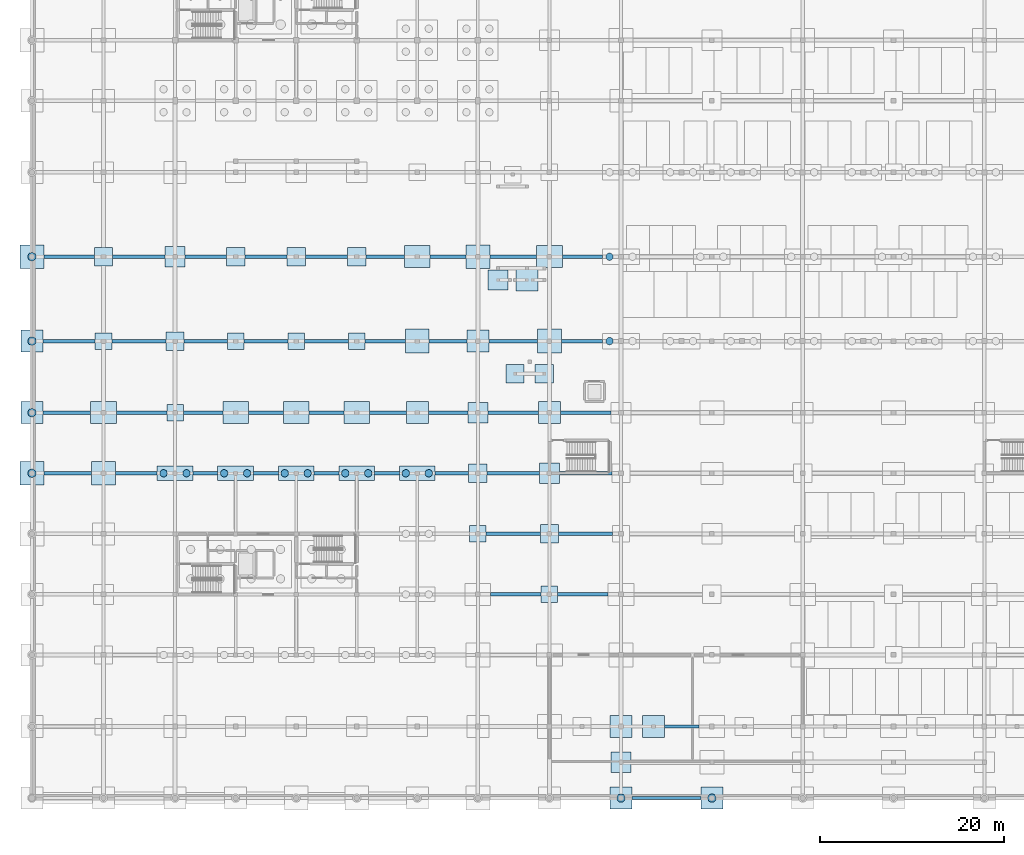
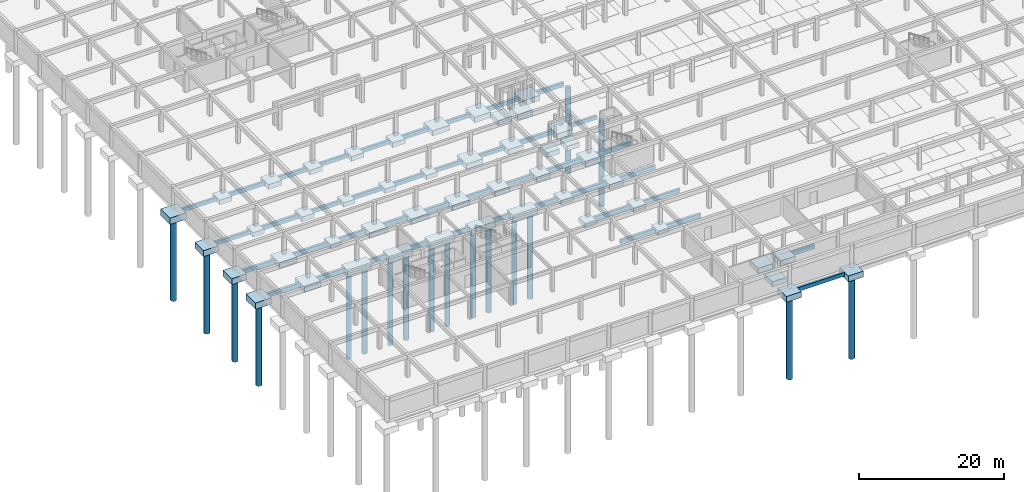
# One storey, part 2 of 37: 90 footings, 18 piles.
"""IFC4 building model written with IfcOpenShell, lengths in metres."""

from ifc_helpers import new_model, si_unit, direction, frame, origin, origin_2d, place, context, subcontext, project, spatial, rectangle, circle, extrude, material, material_profile, profile_set, type_object, element, save


model = new_model("IFC4")

# Units and contexts
model_context = context("Model", 3, precision=1e-05, world=origin(), true_north=direction((0.0, 1.0)))
body_context = subcontext(model_context, "Body", "Model", "MODEL_VIEW")
ifc_project = project(units=[si_unit("LENGTHUNIT", "METRE"), si_unit("AREAUNIT", "SQUARE_METRE"), si_unit("VOLUMEUNIT", "CUBIC_METRE"), si_unit("PLANEANGLEUNIT", "RADIAN"), si_unit("MASSUNIT", "GRAM", prefix="KILO")], contexts=[model_context])

# Site, building, storey
site_placement = place(None, origin())
site = spatial("IfcSite", under=ifc_project, at=site_placement, CompositionType="ELEMENT")
building_placement = place(site_placement, origin())
building = spatial("IfcBuilding", under=site, at=building_placement, Name="Kernevlak Ridge Housing Community", CompositionType="ELEMENT")
storey_placement = place(building_placement, frame((0.0, 0.0, -3.800048828125)))
storey = spatial("IfcBuildingStorey", under=building, at=storey_placement, Name="B1", CompositionType="ELEMENT", Elevation=-3.800048828125)

# Piles
ifc_material = material(Name="Concrete C35/45", Category="concrete")
ifc_material_profile_1 = material_profile(ifc_material, circle(Radius=0.39990234375, at=origin_2d()), Name="BORED PILE 800")
ifc_profile_set_1 = profile_set([ifc_material_profile_1], Name="Concrete C35/45")
pile_type_1 = type_object("IfcPileType", Name="BP-01", PredefinedType="BORED", material=ifc_profile_set_1)
for number, where, z_axis, x_axis, name in (
    (1, (14.35009765625, 35.39990234375, -1.449951171875), (0.0, 0.0, -1.0), (1.0, 0.0, 0.0), "Bored pile BP-01 PILE-0071"),
    (2, (16.85009765625, 35.39990234375, -1.449951171875), (0.0, 0.0, -1.0), (1.0, 0.0, 0.0), "Bored pile BP-01 PILE-0072"),
    (3, (20.949951171875, 35.39990234375, -1.449951171875), (0.0, 0.0, -1.0), (1.0, 0.0, 0.0), "Bored pile BP-01 PILE-0085"),
    (4, (23.449951171875, 35.39990234375, -1.449951171875), (0.0, 0.0, -1.0), (1.0, 0.0, 0.0), "Bored pile BP-01 PILE-0086"),
    (5, (27.550048828125, 35.39990234375, -1.449951171875), (0.0, 0.0, -1.0), (1.0, 0.0, 0.0), "Bored pile BP-01 PILE-0099"),
    (6, (30.050048828125, 35.39990234375, -1.449951171875), (0.0, 0.0, -1.0), (1.0, 0.0, 0.0), "Bored pile BP-01 PILE-0100"),
    (7, (34.14990234375, 35.39990234375, -1.449951171875), (0.0, 0.0, -1.0), (1.0, 0.0, 0.0), "Bored pile BP-01 PILE-0113"),
    (8, (36.64990234375, 35.39990234375, -1.449951171875), (0.0, 0.0, -1.0), (1.0, 0.0, 0.0), "Bored pile BP-01 PILE-0114"),
    (9, (40.75, 35.39990234375, -1.449951171875), (0.0, 0.0, -1.0), (1.0, 0.0, 0.0), "Bored pile BP-01 PILE-0131"),
    (10, (43.25, 35.39990234375, -1.449951171875), (0.0, 0.0, -1.0), (1.0, 0.0, 0.0), "Bored pile BP-01 PILE-0132"),
    (11, (62.949951171875, 49.800048828125, -1.5), (0.0, 0.0, -1.0), (1.0, 0.0, 0.0), "Bored pile BP-01 PILE-0171"),
    (12, (62.949951171875, 59.0, -1.5), (0.0, 0.0, -1.0), (1.0, 0.0, 0.0), "Bored pile BP-01 PILE-0173"),
):
    element("IfcPile", number, at=place(storey_placement, frame(where, z_axis=z_axis, x_axis=x_axis)), inside=storey, type_object=pile_type_1, Name=name, PredefinedType="BORED", context=body_context, shape_type="SweptSolid", body=[
        extrude(circle(Radius=0.39990234375, at=origin_2d()), origin(), (0.0, 0.0, 1.0), 14.5),
    ])
ifc_material_profile_2 = material_profile(ifc_material, circle(Radius=0.449951171875, at=origin_2d()), Name="BORED PILE 900")
ifc_profile_set_2 = profile_set([ifc_material_profile_2], Name="Concrete C35/45")
pile_type_2 = type_object("IfcPileType", Name="BP-02", PredefinedType="BORED", material=ifc_profile_set_2)
for number, where, z_axis, x_axis, name in (
    (13, (0.0, 35.39990234375, -1.39990234375), (0.0, 0.0, -1.0), (1.0, 0.0, 0.0), "Bored pile BP-02 PILE-0054"),
    (14, (0.0, 42.0, -1.349853515625), (0.0, 0.0, -1.0), (1.0, 0.0, 0.0), "Bored pile BP-02 PILE-0055"),
    (15, (0.0, 49.800048828125, -1.349853515625), (0.0, 0.0, -1.0), (1.0, 0.0, 0.0), "Bored pile BP-02 PILE-0056"),
    (16, (0.0, 59.0, -1.39990234375), (0.0, 0.0, -1.0), (1.0, 0.0, 0.0), "Bored pile BP-02 PILE-0057"),
    (17, (64.199951171875, 0.0, -1.349853515625), (0.0, 0.0, -1.0), (1.0, 0.0, 0.0), "Bored pile BP-02 PILE-0170"),
    (18, (74.10009765625, 0.0, -1.349853515625), (0.0, 0.0, -1.0), (1.0, 0.0, 0.0), "Bored pile BP-02 PILE-0182"),
):
    element("IfcPile", number, at=place(storey_placement, frame(where, z_axis=z_axis, x_axis=x_axis)), inside=storey, type_object=pile_type_2, Name=name, PredefinedType="BORED", context=body_context, shape_type="SweptSolid", body=[
        extrude(circle(Radius=0.449951171875, at=origin_2d()), origin(), (0.0, 0.0, 1.0), 14.0),
    ])

# Footings
ifc_material_profile_3 = material_profile(ifc_material, rectangle(XDim=0.39990234375, YDim=0.699951171875, at=origin_2d()), Name="RC 400x700")
ifc_profile_set_3 = profile_set([ifc_material_profile_3], Name="Concrete C35/45")
footing_type_1 = type_object("IfcFootingType", Name="FB-01", PredefinedType="FOOTING_BEAM", material=ifc_profile_set_3)
footing_1_placement = place(storey_placement, frame((57.300048828125, 22.199951171875, -0.800048828125), z_axis=(1.0, 0.0, 0.0), x_axis=(0.0, 1.0, 0.0)))
element("IfcFooting", 19, at=footing_1_placement, inside=storey, type_object=footing_type_1, Name="Ground tie beam FB-01 63", PredefinedType="FOOTING_BEAM", context=body_context, shape_type="SweptSolid", body=[
    extrude(rectangle(XDim=0.39990234375, YDim=0.699951171875, at=origin_2d()), origin(), (0.0, 0.0, 1.0), 5.5),
])
footing_2_placement = place(storey_placement, frame((49.5, 28.800048828125, -0.800048828125), z_axis=(1.0, 0.0, 0.0), x_axis=(0.0, 1.0, 0.0)))
element("IfcFooting", 20, at=footing_2_placement, inside=storey, type_object=footing_type_1, Name="Ground tie beam FB-01 75", PredefinedType="FOOTING_BEAM", context=body_context, shape_type="SweptSolid", body=[
    extrude(rectangle(XDim=0.39990234375, YDim=0.699951171875, at=origin_2d()), origin(), (0.0, 0.0, 1.0), 5.89990234375),
])
footing_3_placement = place(storey_placement, frame((9.10009765625, 35.39990234375, -0.800048828125), z_axis=(1.0, 0.0, 0.0), x_axis=(0.0, 1.0, 0.0)))
element("IfcFooting", 21, at=footing_3_placement, inside=storey, type_object=footing_type_1, Name="Ground tie beam FB-01 87", PredefinedType="FOOTING_BEAM", context=body_context, shape_type="SweptSolid", body=[
    extrude(rectangle(XDim=0.39990234375, YDim=0.699951171875, at=origin_2d()), origin(), (0.0, 0.0, 1.0), 4.5498046875),
])
footing_4_placement = place(storey_placement, frame((30.75, 35.39990234375, -0.800048828125), z_axis=(1.0, 0.0, 0.0), x_axis=(0.0, 1.0, 0.0)))
element("IfcFooting", 22, at=footing_4_placement, inside=storey, type_object=footing_type_1, Name="Ground tie beam FB-01 90", PredefinedType="FOOTING_BEAM", context=body_context, shape_type="SweptSolid", body=[
    extrude(rectangle(XDim=0.39990234375, YDim=0.699951171875, at=origin_2d()), origin(), (0.0, 0.0, 1.0), 2.699951171875),
])
footing_5_placement = place(storey_placement, frame((49.60009765625, 35.39990234375, -0.800048828125), z_axis=(1.0, 0.0, 0.0), x_axis=(0.0, 1.0, 0.0)))
element("IfcFooting", 23, at=footing_5_placement, inside=storey, type_object=footing_type_1, Name="Ground tie beam FB-01 93", PredefinedType="FOOTING_BEAM", context=body_context, shape_type="SweptSolid", body=[
    extrude(rectangle(XDim=0.39990234375, YDim=0.699951171875, at=origin_2d()), origin(), (0.0, 0.0, 1.0), 5.699951171875),
])
footing_6_placement = place(storey_placement, frame((9.199951171875, 42.0, -0.800048828125), z_axis=(1.0, 0.0, 0.0), x_axis=(0.0, 1.0, 0.0)))
element("IfcFooting", 24, at=footing_6_placement, inside=storey, type_object=footing_type_1, Name="Ground tie beam FB-01 105", PredefinedType="FOOTING_BEAM", context=body_context, shape_type="SweptSolid", body=[
    extrude(rectangle(XDim=0.39990234375, YDim=0.699951171875, at=origin_2d()), origin(), (0.0, 0.0, 1.0), 5.5),
])
footing_7_placement = place(storey_placement, frame((30.199951171875, 42.0, -0.800048828125), z_axis=(1.0, 0.0, 0.0), x_axis=(0.0, 1.0, 0.0)))
element("IfcFooting", 25, at=footing_7_placement, inside=storey, type_object=footing_type_1, Name="Ground tie beam FB-01 108", PredefinedType="FOOTING_BEAM", context=body_context, shape_type="SweptSolid", body=[
    extrude(rectangle(XDim=0.39990234375, YDim=0.699951171875, at=origin_2d()), origin(), (0.0, 0.0, 1.0), 3.800048828125),
])
footing_8_placement = place(storey_placement, frame((49.699951171875, 42.0, -0.800048828125), z_axis=(1.0, 0.0, 0.0), x_axis=(0.0, 1.0, 0.0)))
element("IfcFooting", 26, at=footing_8_placement, inside=storey, type_object=footing_type_1, Name="Ground tie beam FB-01 111", PredefinedType="FOOTING_BEAM", context=body_context, shape_type="SweptSolid", body=[
    extrude(rectangle(XDim=0.39990234375, YDim=0.699951171875, at=origin_2d()), origin(), (0.0, 0.0, 1.0), 5.5),
])
footing_9_placement = place(storey_placement, frame((8.699951171875, 49.800048828125, -0.800048828125), z_axis=(1.0, 0.0, 0.0), x_axis=(0.0, 1.0, 0.0)))
element("IfcFooting", 27, at=footing_9_placement, inside=storey, type_object=footing_type_1, Name="Ground tie beam FB-01 126", PredefinedType="FOOTING_BEAM", context=body_context, shape_type="SweptSolid", body=[
    extrude(rectangle(XDim=0.39990234375, YDim=0.699951171875, at=origin_2d()), origin(), (0.0, 0.0, 1.0), 5.900146484375),
])
footing_10_placement = place(storey_placement, frame((29.699951171875, 49.800048828125, -0.800048828125), z_axis=(1.0, 0.0, 0.0), x_axis=(0.0, 1.0, 0.0)))
element("IfcFooting", 28, at=footing_10_placement, inside=storey, type_object=footing_type_1, Name="Ground tie beam FB-01 129", PredefinedType="FOOTING_BEAM", context=body_context, shape_type="SweptSolid", body=[
    extrude(rectangle(XDim=0.39990234375, YDim=0.699951171875, at=origin_2d()), origin(), (0.0, 0.0, 1.0), 4.800048828125),
])
footing_11_placement = place(storey_placement, frame((49.800048828125, 49.800048828125, -0.800048828125), z_axis=(1.0, 0.0, 0.0), x_axis=(0.0, 1.0, 0.0)))
element("IfcFooting", 29, at=footing_11_placement, inside=storey, type_object=footing_type_1, Name="Ground tie beam FB-01 132", PredefinedType="FOOTING_BEAM", context=body_context, shape_type="SweptSolid", body=[
    extrude(rectangle(XDim=0.39990234375, YDim=0.699951171875, at=origin_2d()), origin(), (0.0, 0.0, 1.0), 5.300048828125),
])
footing_12_placement = place(storey_placement, frame((16.699951171875, 59.0, -0.800048828125), z_axis=(1.0, 0.0, 0.0), x_axis=(0.0, 1.0, 0.0)))
element("IfcFooting", 30, at=footing_12_placement, inside=storey, type_object=footing_type_1, Name="Ground tie beam FB-01 150", PredefinedType="FOOTING_BEAM", context=body_context, shape_type="SweptSolid", body=[
    extrude(rectangle(XDim=0.39990234375, YDim=0.699951171875, at=origin_2d()), origin(), (0.0, 0.0, 1.0), 4.5),
])
footing_13_placement = place(storey_placement, frame((36.39990234375, 59.0, -0.800048828125), z_axis=(1.0, 0.0, 0.0), x_axis=(0.0, 1.0, 0.0)))
element("IfcFooting", 31, at=footing_13_placement, inside=storey, type_object=footing_type_1, Name="Ground tie beam FB-01 153", PredefinedType="FOOTING_BEAM", context=body_context, shape_type="SweptSolid", body=[
    extrude(rectangle(XDim=0.39990234375, YDim=0.699951171875, at=origin_2d()), origin(), (0.0, 0.0, 1.0), 4.2001953125),
])
footing_14_placement = place(storey_placement, frame((57.800048828125, 59.0, -0.800048828125), z_axis=(1.0, 0.0, 0.0), x_axis=(0.0, 1.0, 0.0)))
element("IfcFooting", 32, at=footing_14_placement, inside=storey, type_object=footing_type_1, Name="Ground tie beam FB-01 156", PredefinedType="FOOTING_BEAM", context=body_context, shape_type="SweptSolid", body=[
    extrude(rectangle(XDim=0.39990234375, YDim=0.699951171875, at=origin_2d()), origin(), (0.0, 0.0, 1.0), 4.39990234375),
])
ifc_material_profile_4 = material_profile(ifc_material, rectangle(XDim=0.35009765625, YDim=0.64990234375, at=origin_2d()), Name="RC 350x650")
ifc_profile_set_4 = profile_set([ifc_material_profile_4], Name="Concrete C35/45")
footing_type_2 = type_object("IfcFootingType", Name="FB-02", PredefinedType="FOOTING_BEAM", material=ifc_profile_set_4)
footing_15_placement = place(storey_placement, frame((65.39990234375, 0.0, -0.77490234375), z_axis=(1.0, 0.0, 0.0), x_axis=(0.0, 1.0, 0.0)))
element("IfcFooting", 33, at=footing_15_placement, inside=storey, type_object=footing_type_2, Name="Ground tie beam FB-02 10", PredefinedType="FOOTING_BEAM", context=body_context, shape_type="SweptSolid", body=[
    extrude(rectangle(XDim=0.35009765625, YDim=0.64990234375, at=origin_2d()), origin(), (0.0, 0.0, 1.0), 7.5),
])
footing_16_placement = place(storey_placement, frame((68.949951171875, 7.800048828125, -0.77490234375), z_axis=(1.0, 0.0, 0.0), x_axis=(0.0, 1.0, 0.0)))
element("IfcFooting", 34, at=footing_16_placement, inside=storey, type_object=footing_type_2, Name="Ground tie beam FB-02 31", PredefinedType="FOOTING_BEAM", context=body_context, shape_type="SweptSolid", body=[
    extrude(rectangle(XDim=0.35009765625, YDim=0.64990234375, at=origin_2d()), origin(), (0.0, 0.0, 1.0), 3.75),
])
footing_17_placement = place(storey_placement, frame((57.39990234375, 28.800048828125, -0.77490234375), z_axis=(1.0, 0.0, 0.0), x_axis=(0.0, 1.0, 0.0)))
element("IfcFooting", 35, at=footing_17_placement, inside=storey, type_object=footing_type_2, Name="Ground tie beam FB-02 76", PredefinedType="FOOTING_BEAM", context=body_context, shape_type="SweptSolid", body=[
    extrude(rectangle(XDim=0.35009765625, YDim=0.64990234375, at=origin_2d()), origin(), (0.0, 0.0, 1.0), 5.900146484375),
])
for number, where, z_axis, x_axis, name in (
    (36, (17.550048828125, 35.39990234375, -0.77490234375), (1.0, 0.0, 0.0), (0.0, 1.0, 0.0), "Ground tie beam FB-02 88"),
    (37, (37.35009765625, 35.39990234375, -0.77490234375), (1.0, 0.0, 0.0), (0.0, 1.0, 0.0), "Ground tie beam FB-02 91"),
):
    element("IfcFooting", number, at=place(storey_placement, frame(where, z_axis=z_axis, x_axis=x_axis)), inside=storey, type_object=footing_type_2, Name=name, PredefinedType="FOOTING_BEAM", context=body_context, shape_type="SweptSolid", body=[
        extrude(rectangle(XDim=0.35009765625, YDim=0.64990234375, at=origin_2d()), origin(), (0.0, 0.0, 1.0), 2.699951171875),
    ])
footing_18_placement = place(storey_placement, frame((57.5, 35.39990234375, -0.77490234375), z_axis=(1.0, 0.0, 0.0), x_axis=(0.0, 1.0, 0.0)))
element("IfcFooting", 38, at=footing_18_placement, inside=storey, type_object=footing_type_2, Name="Ground tie beam FB-02 94", PredefinedType="FOOTING_BEAM", context=body_context, shape_type="SweptSolid", body=[
    extrude(rectangle(XDim=0.35009765625, YDim=0.64990234375, at=origin_2d()), origin(), (0.0, 0.0, 1.0), 5.699951171875),
])
footing_19_placement = place(storey_placement, frame((16.5, 42.0, -0.77490234375), z_axis=(1.0, 0.0, 0.0), x_axis=(0.0, 1.0, 0.0)))
element("IfcFooting", 39, at=footing_19_placement, inside=storey, type_object=footing_type_2, Name="Ground tie beam FB-02 106", PredefinedType="FOOTING_BEAM", context=body_context, shape_type="SweptSolid", body=[
    extrude(rectangle(XDim=0.35009765625, YDim=0.64990234375, at=origin_2d()), origin(), (0.0, 0.0, 1.0), 4.300048828125),
])
footing_20_placement = place(storey_placement, frame((36.800048828125, 42.0, -0.77490234375), z_axis=(1.0, 0.0, 0.0), x_axis=(0.0, 1.0, 0.0)))
element("IfcFooting", 40, at=footing_20_placement, inside=storey, type_object=footing_type_2, Name="Ground tie beam FB-02 109", PredefinedType="FOOTING_BEAM", context=body_context, shape_type="SweptSolid", body=[
    extrude(rectangle(XDim=0.35009765625, YDim=0.64990234375, at=origin_2d()), origin(), (0.0, 0.0, 1.0), 4.0),
])
footing_21_placement = place(storey_placement, frame((57.60009765625, 42.0, -0.77490234375), z_axis=(1.0, 0.0, 0.0), x_axis=(0.0, 1.0, 0.0)))
element("IfcFooting", 41, at=footing_21_placement, inside=storey, type_object=footing_type_2, Name="Ground tie beam FB-02 112", PredefinedType="FOOTING_BEAM", context=body_context, shape_type="SweptSolid", body=[
    extrude(rectangle(XDim=0.35009765625, YDim=0.64990234375, at=origin_2d()), origin(), (0.0, 0.0, 1.0), 5.5),
])
footing_22_placement = place(storey_placement, frame((16.60009765625, 49.800048828125, -0.77490234375), z_axis=(1.0, 0.0, 0.0), x_axis=(0.0, 1.0, 0.0)))
element("IfcFooting", 42, at=footing_22_placement, inside=storey, type_object=footing_type_2, Name="Ground tie beam FB-02 127", PredefinedType="FOOTING_BEAM", context=body_context, shape_type="SweptSolid", body=[
    extrude(rectangle(XDim=0.35009765625, YDim=0.64990234375, at=origin_2d()), origin(), (0.0, 0.0, 1.0), 4.699951171875),
])
footing_23_placement = place(storey_placement, frame((36.300048828125, 49.800048828125, -0.77490234375), z_axis=(1.0, 0.0, 0.0), x_axis=(0.0, 1.0, 0.0)))
element("IfcFooting", 43, at=footing_23_placement, inside=storey, type_object=footing_type_2, Name="Ground tie beam FB-02 130", PredefinedType="FOOTING_BEAM", context=body_context, shape_type="SweptSolid", body=[
    extrude(rectangle(XDim=0.35009765625, YDim=0.64990234375, at=origin_2d()), origin(), (0.0, 0.0, 1.0), 4.39990234375),
])
footing_24_placement = place(storey_placement, frame((57.699951171875, 49.800048828125, -0.77490234375), z_axis=(1.0, 0.0, 0.0), x_axis=(0.0, 1.0, 0.0)))
element("IfcFooting", 44, at=footing_24_placement, inside=storey, type_object=footing_type_2, Name="Ground tie beam FB-02 133", PredefinedType="FOOTING_BEAM", context=body_context, shape_type="SweptSolid", body=[
    extrude(rectangle(XDim=0.35009765625, YDim=0.64990234375, at=origin_2d()), origin(), (0.0, 0.0, 1.0), 4.5),
])
footing_25_placement = place(storey_placement, frame((1.300048828125, 59.0, -0.77490234375), z_axis=(1.0, 0.0, 0.0), x_axis=(0.0, 1.0, 0.0)))
element("IfcFooting", 45, at=footing_25_placement, inside=storey, type_object=footing_type_2, Name="Ground tie beam FB-02 148", PredefinedType="FOOTING_BEAM", context=body_context, shape_type="SweptSolid", body=[
    extrude(rectangle(XDim=0.35009765625, YDim=0.64990234375, at=origin_2d()), origin(), (0.0, 0.0, 1.0), 5.5),
])
footing_26_placement = place(storey_placement, frame((23.199951171875, 59.0, -0.77490234375), z_axis=(1.0, 0.0, 0.0), x_axis=(0.0, 1.0, 0.0)))
element("IfcFooting", 46, at=footing_26_placement, inside=storey, type_object=footing_type_2, Name="Ground tie beam FB-02 151", PredefinedType="FOOTING_BEAM", context=body_context, shape_type="SweptSolid", body=[
    extrude(rectangle(XDim=0.35009765625, YDim=0.64990234375, at=origin_2d()), origin(), (0.0, 0.0, 1.0), 4.60009765625),
])
footing_27_placement = place(storey_placement, frame((43.39990234375, 59.0, -0.77490234375), z_axis=(1.0, 0.0, 0.0), x_axis=(0.0, 1.0, 0.0)))
element("IfcFooting", 47, at=footing_27_placement, inside=storey, type_object=footing_type_2, Name="Ground tie beam FB-02 154", PredefinedType="FOOTING_BEAM", context=body_context, shape_type="SweptSolid", body=[
    extrude(rectangle(XDim=0.35009765625, YDim=0.64990234375, at=origin_2d()), origin(), (0.0, 0.0, 1.0), 3.900146484375),
])
ifc_material_profile_5 = material_profile(ifc_material, rectangle(XDim=0.39990234375, YDim=0.64990234375, at=origin_2d()), Name="RC 400x650")
ifc_profile_set_5 = profile_set([ifc_material_profile_5], Name="Concrete C35/45")
footing_type_3 = type_object("IfcFootingType", Name="FB-03", PredefinedType="FOOTING_BEAM", material=ifc_profile_set_5)
footing_28_placement = place(storey_placement, frame((50.0, 22.199951171875, -0.77490234375), z_axis=(1.0, 0.0, 0.0), x_axis=(0.0, 1.0, 0.0)))
element("IfcFooting", 48, at=footing_28_placement, inside=storey, type_object=footing_type_3, Name="Ground tie beam FB-03 62", PredefinedType="FOOTING_BEAM", context=body_context, shape_type="SweptSolid", body=[
    extrude(rectangle(XDim=0.39990234375, YDim=0.64990234375, at=origin_2d()), origin(), (0.0, 0.0, 1.0), 5.5),
])
footing_29_placement = place(storey_placement, frame((1.300048828125, 35.39990234375, -0.77490234375), z_axis=(1.0, 0.0, 0.0), x_axis=(0.0, 1.0, 0.0)))
element("IfcFooting", 49, at=footing_29_placement, inside=storey, type_object=footing_type_3, Name="Ground tie beam FB-03 86", PredefinedType="FOOTING_BEAM", context=body_context, shape_type="SweptSolid", body=[
    extrude(rectangle(XDim=0.39990234375, YDim=0.64990234375, at=origin_2d()), origin(), (0.0, 0.0, 1.0), 5.199951171875),
])
footing_30_placement = place(storey_placement, frame((24.14990234375, 35.39990234375, -0.77490234375), z_axis=(1.0, 0.0, 0.0), x_axis=(0.0, 1.0, 0.0)))
element("IfcFooting", 50, at=footing_30_placement, inside=storey, type_object=footing_type_3, Name="Ground tie beam FB-03 89", PredefinedType="FOOTING_BEAM", context=body_context, shape_type="SweptSolid", body=[
    extrude(rectangle(XDim=0.39990234375, YDim=0.64990234375, at=origin_2d()), origin(), (0.0, 0.0, 1.0), 2.7001953125),
])
footing_31_placement = place(storey_placement, frame((43.949951171875, 35.39990234375, -0.77490234375), z_axis=(1.0, 0.0, 0.0), x_axis=(0.0, 1.0, 0.0)))
element("IfcFooting", 51, at=footing_31_placement, inside=storey, type_object=footing_type_3, Name="Ground tie beam FB-03 92", PredefinedType="FOOTING_BEAM", context=body_context, shape_type="SweptSolid", body=[
    extrude(rectangle(XDim=0.39990234375, YDim=0.64990234375, at=origin_2d()), origin(), (0.0, 0.0, 1.0), 3.650146484375),
])
footing_32_placement = place(storey_placement, frame((1.199951171875, 42.0, -0.77490234375), z_axis=(1.0, 0.0, 0.0), x_axis=(0.0, 1.0, 0.0)))
element("IfcFooting", 52, at=footing_32_placement, inside=storey, type_object=footing_type_3, Name="Ground tie beam FB-03 104", PredefinedType="FOOTING_BEAM", context=body_context, shape_type="SweptSolid", body=[
    extrude(rectangle(XDim=0.39990234375, YDim=0.64990234375, at=origin_2d()), origin(), (0.0, 0.0, 1.0), 5.199951171875),
])
footing_33_placement = place(storey_placement, frame((23.60009765625, 42.0, -0.77490234375), z_axis=(1.0, 0.0, 0.0), x_axis=(0.0, 1.0, 0.0)))
element("IfcFooting", 53, at=footing_33_placement, inside=storey, type_object=footing_type_3, Name="Ground tie beam FB-03 107", PredefinedType="FOOTING_BEAM", context=body_context, shape_type="SweptSolid", body=[
    extrude(rectangle(XDim=0.39990234375, YDim=0.64990234375, at=origin_2d()), origin(), (0.0, 0.0, 1.0), 3.7998046875),
])
footing_34_placement = place(storey_placement, frame((43.199951171875, 42.0, -0.77490234375), z_axis=(1.0, 0.0, 0.0), x_axis=(0.0, 1.0, 0.0)))
element("IfcFooting", 54, at=footing_34_placement, inside=storey, type_object=footing_type_3, Name="Ground tie beam FB-03 110", PredefinedType="FOOTING_BEAM", context=body_context, shape_type="SweptSolid", body=[
    extrude(rectangle(XDim=0.39990234375, YDim=0.64990234375, at=origin_2d()), origin(), (0.0, 0.0, 1.0), 4.300048828125),
])
footing_35_placement = place(storey_placement, frame((1.199951171875, 49.800048828125, -0.77490234375), z_axis=(1.0, 0.0, 0.0), x_axis=(0.0, 1.0, 0.0)))
element("IfcFooting", 55, at=footing_35_placement, inside=storey, type_object=footing_type_3, Name="Ground tie beam FB-03 125", PredefinedType="FOOTING_BEAM", context=body_context, shape_type="SweptSolid", body=[
    extrude(rectangle(XDim=0.39990234375, YDim=0.64990234375, at=origin_2d()), origin(), (0.0, 0.0, 1.0), 5.699951171875),
])
footing_36_placement = place(storey_placement, frame((23.10009765625, 49.800048828125, -0.77490234375), z_axis=(1.0, 0.0, 0.0), x_axis=(0.0, 1.0, 0.0)))
element("IfcFooting", 56, at=footing_36_placement, inside=storey, type_object=footing_type_3, Name="Ground tie beam FB-03 128", PredefinedType="FOOTING_BEAM", context=body_context, shape_type="SweptSolid", body=[
    extrude(rectangle(XDim=0.39990234375, YDim=0.64990234375, at=origin_2d()), origin(), (0.0, 0.0, 1.0), 4.7998046875),
])
footing_37_placement = place(storey_placement, frame((43.300048828125, 49.800048828125, -0.77490234375), z_axis=(1.0, 0.0, 0.0), x_axis=(0.0, 1.0, 0.0)))
element("IfcFooting", 57, at=footing_37_placement, inside=storey, type_object=footing_type_3, Name="Ground tie beam FB-03 131", PredefinedType="FOOTING_BEAM", context=body_context, shape_type="SweptSolid", body=[
    extrude(rectangle(XDim=0.39990234375, YDim=0.64990234375, at=origin_2d()), origin(), (0.0, 0.0, 1.0), 4.099853515625),
])
footing_38_placement = place(storey_placement, frame((8.800048828125, 59.0, -0.77490234375), z_axis=(1.0, 0.0, 0.0), x_axis=(0.0, 1.0, 0.0)))
element("IfcFooting", 58, at=footing_38_placement, inside=storey, type_object=footing_type_3, Name="Ground tie beam FB-03 149", PredefinedType="FOOTING_BEAM", context=body_context, shape_type="SweptSolid", body=[
    extrude(rectangle(XDim=0.39990234375, YDim=0.64990234375, at=origin_2d()), origin(), (0.0, 0.0, 1.0), 5.699951171875),
])
footing_39_placement = place(storey_placement, frame((29.800048828125, 59.0, -0.77490234375), z_axis=(1.0, 0.0, 0.0), x_axis=(0.0, 1.0, 0.0)))
element("IfcFooting", 59, at=footing_39_placement, inside=storey, type_object=footing_type_3, Name="Ground tie beam FB-03 152", PredefinedType="FOOTING_BEAM", context=body_context, shape_type="SweptSolid", body=[
    extrude(rectangle(XDim=0.39990234375, YDim=0.64990234375, at=origin_2d()), origin(), (0.0, 0.0, 1.0), 4.599853515625),
])
footing_40_placement = place(storey_placement, frame((49.89990234375, 59.0, -0.77490234375), z_axis=(1.0, 0.0, 0.0), x_axis=(0.0, 1.0, 0.0)))
element("IfcFooting", 60, at=footing_40_placement, inside=storey, type_object=footing_type_3, Name="Ground tie beam FB-03 155", PredefinedType="FOOTING_BEAM", context=body_context, shape_type="SweptSolid", body=[
    extrude(rectangle(XDim=0.39990234375, YDim=0.64990234375, at=origin_2d()), origin(), (0.0, 0.0, 1.0), 5.10009765625),
])
footing_type_4 = type_object("IfcFootingType", Name="FC-01", PredefinedType="PILE_CAP", material=ifc_material)
for number, where, z_axis, x_axis, name in (
    (61, (0.0, 42.0, -1.449951171875), (0.0, 0.0, 1.0), (1.0, 0.0, 0.0), "Footing FC-01 FTG-CAP-019"),
    (62, (0.0, 49.800048828125, -1.449951171875), (0.0, 0.0, 1.0), (1.0, 0.0, 0.0), "Footing FC-01 FTG-CAP-020"),
    (63, (64.199951171875, 0.0, -1.449951171875), (0.0, 0.0, 1.0), (1.0, 0.0, 0.0), "Footing FC-01 FTG-CAP-156"),
    (64, (74.10009765625, 0.0, -1.449951171875), (0.0, 0.0, 1.0), (1.0, 0.0, 0.0), "Footing FC-01 FTG-CAP-177"),
):
    element("IfcFooting", number, at=place(storey_placement, frame(where, z_axis=z_axis, x_axis=x_axis)), inside=storey, type_object=footing_type_4, Name=name, PredefinedType="PILE_CAP", context=body_context, shape_type="SweptSolid", body=[
        extrude(rectangle(XDim=2.39990234375, YDim=2.39990234375, at=origin_2d()), origin(), (0.0, 0.0, 1.0), 1.0),
    ])
footing_type_5 = type_object("IfcFootingType", Name="FC-02", PredefinedType="PILE_CAP", material=ifc_material)
for number, where, z_axis, x_axis, name in (
    (65, (15.60009765625, 35.39990234375, -1.550048828125), (0.0, 0.0, 1.0), (1.0, 0.0, 0.0), "Footing FC-02 FTG-CAP-050"),
    (66, (22.199951171875, 35.39990234375, -1.550048828125), (0.0, 0.0, 1.0), (1.0, 0.0, 0.0), "Footing FC-02 FTG-CAP-063"),
    (67, (28.800048828125, 35.39990234375, -1.550048828125), (0.0, 0.0, 1.0), (1.0, 0.0, 0.0), "Footing FC-02 FTG-CAP-076"),
    (68, (35.39990234375, 35.39990234375, -1.550048828125), (0.0, 0.0, 1.0), (1.0, 0.0, 0.0), "Footing FC-02 FTG-CAP-089"),
    (69, (42.0, 35.39990234375, -1.550048828125), (0.0, 0.0, 1.0), (1.0, 0.0, 0.0), "Footing FC-02 FTG-CAP-104"),
):
    element("IfcFooting", number, at=place(storey_placement, frame(where, z_axis=z_axis, x_axis=x_axis)), inside=storey, type_object=footing_type_5, Name=name, PredefinedType="PILE_CAP", context=body_context, shape_type="SweptSolid", body=[
        extrude(rectangle(XDim=3.89990234375, YDim=1.60009765625, at=origin_2d()), origin(), (0.0, 0.0, 1.0), 1.10009765625),
    ])
footing_type_6 = type_object("IfcFootingType", Name="FC-08", PredefinedType="PILE_CAP", material=ifc_material)
for number, where, z_axis, x_axis, name in (
    (70, (0.0, 35.39990234375, -1.5), (0.0, 0.0, 1.0), (1.0, 0.0, 0.0), "Footing FC-08 FTG-CAP-018"),
    (71, (0.0, 59.0, -1.5), (0.0, 0.0, 1.0), (1.0, 0.0, 0.0), "Footing FC-08 FTG-CAP-021"),
):
    element("IfcFooting", number, at=place(storey_placement, frame(where, z_axis=z_axis, x_axis=x_axis)), inside=storey, type_object=footing_type_6, Name=name, PredefinedType="PILE_CAP", context=body_context, shape_type="SweptSolid", body=[
        extrude(rectangle(XDim=2.60009765625, YDim=2.60009765625, at=origin_2d()), origin(), (0.0, 0.0, 1.0), 1.050048828125),
    ])
footing_type_7 = type_object("IfcFootingType", Name="PF-01", PredefinedType="PAD_FOOTING", material=ifc_material)
for number, where, z_axis, x_axis, name in (
    (72, (7.800048828125, 49.800048828125, -1.199951171875), (0.0, 0.0, 1.0), (1.0, 0.0, 0.0), "Footing PF-01 FTG-CAP-037"),
    (73, (15.60009765625, 42.0, -1.199951171875), (0.0, 0.0, 1.0), (1.0, 0.0, 0.0), "Footing PF-01 FTG-CAP-051"),
    (74, (22.199951171875, 49.800048828125, -1.199951171875), (0.0, 0.0, 1.0), (1.0, 0.0, 0.0), "Footing PF-01 FTG-CAP-065"),
    (75, (28.800048828125, 49.800048828125, -1.199951171875), (0.0, 0.0, 1.0), (1.0, 0.0, 0.0), "Footing PF-01 FTG-CAP-078"),
    (76, (35.39990234375, 49.800048828125, -1.199951171875), (0.0, 0.0, 1.0), (1.0, 0.0, 0.0), "Footing PF-01 FTG-CAP-091"),
    (77, (48.60009765625, 28.800048828125, -1.199951171875), (0.0, 0.0, 1.0), (1.0, 0.0, 0.0), "Footing PF-01 FTG-CAP-120"),
    (78, (56.39990234375, 22.199951171875, -1.199951171875), (0.0, 0.0, 1.0), (1.0, 0.0, 0.0), "Footing PF-01 FTG-CAP-141"),
):
    element("IfcFooting", number, at=place(storey_placement, frame(where, z_axis=z_axis, x_axis=x_axis)), inside=storey, type_object=footing_type_7, Name=name, PredefinedType="PAD_FOOTING", context=body_context, shape_type="SweptSolid", body=[
        extrude(rectangle(XDim=1.800048828125, YDim=1.800048828125, at=origin_2d()), origin(), (0.0, 0.0, 1.0), 0.75),
    ])
footing_type_8 = type_object("IfcFootingType", Name="PF-02", PredefinedType="PAD_FOOTING", material=ifc_material)
for number, where, z_axis, x_axis, name in (
    (79, (7.800048828125, 59.0, -1.25), (0.0, 0.0, 1.0), (1.0, 0.0, 0.0), "Footing PF-02 FTG-CAP-038"),
    (80, (15.60009765625, 49.800048828125, -1.25), (0.0, 0.0, 1.0), (1.0, 0.0, 0.0), "Footing PF-02 FTG-CAP-052"),
    (81, (22.199951171875, 59.0, -1.25), (0.0, 0.0, 1.0), (1.0, 0.0, 0.0), "Footing PF-02 FTG-CAP-066"),
    (82, (28.800048828125, 59.0, -1.25), (0.0, 0.0, 1.0), (1.0, 0.0, 0.0), "Footing PF-02 FTG-CAP-079"),
    (83, (35.39990234375, 59.0, -1.25), (0.0, 0.0, 1.0), (1.0, 0.0, 0.0), "Footing PF-02 FTG-CAP-092"),
    (84, (48.60009765625, 35.39990234375, -1.25), (0.0, 0.0, 1.0), (1.0, 0.0, 0.0), "Footing PF-02 FTG-CAP-121"),
    (85, (52.64990234375, 46.25, -1.25), (0.0, 0.0, 1.0), (1.0, 0.0, 0.0), "Footing PF-02 FTG-CAP-135"),
    (86, (55.85009765625, 46.25, -1.25), (0.0, 0.0, 1.0), (1.0, 0.0, 0.0), "Footing PF-02 FTG-CAP-137"),
    (87, (56.39990234375, 28.800048828125, -1.25), (0.0, 0.0, 1.0), (1.0, 0.0, 0.0), "Footing PF-02 FTG-CAP-142"),
):
    element("IfcFooting", number, at=place(storey_placement, frame(where, z_axis=z_axis, x_axis=x_axis)), inside=storey, type_object=footing_type_8, Name=name, PredefinedType="PAD_FOOTING", context=body_context, shape_type="SweptSolid", body=[
        extrude(rectangle(XDim=2.0, YDim=2.0, at=origin_2d()), origin(), (0.0, 0.0, 1.0), 0.800048828125),
    ])
footing_type_9 = type_object("IfcFootingType", Name="PF-03", PredefinedType="PAD_FOOTING", material=ifc_material)
for number, where, z_axis, x_axis, name in (
    (88, (15.60009765625, 59.0, -1.300048828125), (0.0, 0.0, 1.0), (1.0, 0.0, 0.0), "Footing PF-03 FTG-CAP-053"),
    (89, (48.60009765625, 42.0, -1.300048828125), (0.0, 0.0, 1.0), (1.0, 0.0, 0.0), "Footing PF-03 FTG-CAP-122"),
    (90, (50.800048828125, 56.449951171875, -1.300048828125), (0.0, 0.0, 1.0), (1.0, 0.0, 0.0), "Footing PF-03 FTG-CAP-133"),
    (91, (56.39990234375, 35.39990234375, -1.300048828125), (0.0, 0.0, 1.0), (1.0, 0.0, 0.0), "Footing PF-03 FTG-CAP-143"),
    (92, (64.199951171875, 3.89990234375, -1.300048828125), (0.0, 0.0, 1.0), (1.0, 0.0, 0.0), "Footing PF-03 FTG-CAP-157"),
):
    element("IfcFooting", number, at=place(storey_placement, frame(where, z_axis=z_axis, x_axis=x_axis)), inside=storey, type_object=footing_type_9, Name=name, PredefinedType="PAD_FOOTING", context=body_context, shape_type="SweptSolid", body=[
        extrude(rectangle(XDim=2.199951171875, YDim=2.199951171875, at=origin_2d()), origin(), (0.0, 0.0, 1.0), 0.85009765625),
    ])
footing_type_10 = type_object("IfcFootingType", Name="PF-04", PredefinedType="PAD_FOOTING", material=ifc_material)
for number, where, z_axis, x_axis, name in (
    (93, (42.0, 42.0, -1.349853515625), (0.0, 0.0, 1.0), (1.0, 0.0, 0.0), "Footing PF-04 FTG-CAP-105"),
    (94, (48.60009765625, 49.800048828125, -1.349853515625), (0.0, 0.0, 1.0), (1.0, 0.0, 0.0), "Footing PF-04 FTG-CAP-123"),
    (95, (53.949951171875, 56.449951171875, -1.349853515625), (0.0, 0.0, 1.0), (1.0, 0.0, 0.0), "Footing PF-04 FTG-CAP-136"),
    (96, (56.39990234375, 42.0, -1.349853515625), (0.0, 0.0, 1.0), (1.0, 0.0, 0.0), "Footing PF-04 FTG-CAP-144"),
    (97, (64.199951171875, 7.800048828125, -1.349853515625), (0.0, 0.0, 1.0), (1.0, 0.0, 0.0), "Footing PF-04 FTG-CAP-158"),
    (98, (67.75, 7.800048828125, -1.349853515625), (0.0, 0.0, 1.0), (1.0, 0.0, 0.0), "Footing PF-04 FTG-CAP-174"),
):
    element("IfcFooting", number, at=place(storey_placement, frame(where, z_axis=z_axis, x_axis=x_axis)), inside=storey, type_object=footing_type_10, Name=name, PredefinedType="PAD_FOOTING", context=body_context, shape_type="SweptSolid", body=[
        extrude(rectangle(XDim=2.39990234375, YDim=2.39990234375, at=origin_2d()), origin(), (0.0, 0.0, 1.0), 0.89990234375),
    ])
footing_type_11 = type_object("IfcFootingType", Name="PF-05", PredefinedType="PAD_FOOTING", material=ifc_material)
for number, where, z_axis, x_axis, name in (
    (99, (7.800048828125, 35.39990234375, -1.39990234375), (0.0, 0.0, 1.0), (1.0, 0.0, 0.0), "Footing PF-05 FTG-CAP-035"),
    (100, (42.0, 49.800048828125, -1.39990234375), (0.0, 0.0, 1.0), (1.0, 0.0, 0.0), "Footing PF-05 FTG-CAP-106"),
    (101, (48.60009765625, 59.0, -1.39990234375), (0.0, 0.0, 1.0), (1.0, 0.0, 0.0), "Footing PF-05 FTG-CAP-124"),
    (102, (56.39990234375, 49.800048828125, -1.39990234375), (0.0, 0.0, 1.0), (1.0, 0.0, 0.0), "Footing PF-05 FTG-CAP-145"),
):
    element("IfcFooting", number, at=place(storey_placement, frame(where, z_axis=z_axis, x_axis=x_axis)), inside=storey, type_object=footing_type_11, Name=name, PredefinedType="PAD_FOOTING", context=body_context, shape_type="SweptSolid", body=[
        extrude(rectangle(XDim=2.60009765625, YDim=2.60009765625, at=origin_2d()), origin(), (0.0, 0.0, 1.0), 0.949951171875),
    ])
footing_type_12 = type_object("IfcFootingType", Name="PF-06", PredefinedType="PAD_FOOTING", material=ifc_material)
for number, where, z_axis, x_axis, name in (
    (103, (7.800048828125, 42.0, -1.349853515625), (0.0, 0.0, 1.0), (1.0, 0.0, 0.0), "Footing PF-06 FTG-CAP-036"),
    (104, (22.199951171875, 42.0, -1.349853515625), (0.0, 0.0, 1.0), (1.0, 0.0, 0.0), "Footing PF-06 FTG-CAP-064"),
    (105, (28.800048828125, 42.0, -1.349853515625), (0.0, 0.0, 1.0), (1.0, 0.0, 0.0), "Footing PF-06 FTG-CAP-077"),
    (106, (35.39990234375, 42.0, -1.349853515625), (0.0, 0.0, 1.0), (1.0, 0.0, 0.0), "Footing PF-06 FTG-CAP-090"),
    (107, (42.0, 59.0, -1.349853515625), (0.0, 0.0, 1.0), (1.0, 0.0, 0.0), "Footing PF-06 FTG-CAP-107"),
    (108, (56.39990234375, 59.0, -1.349853515625), (0.0, 0.0, 1.0), (1.0, 0.0, 0.0), "Footing PF-06 FTG-CAP-146"),
):
    element("IfcFooting", number, at=place(storey_placement, frame(where, z_axis=z_axis, x_axis=x_axis)), inside=storey, type_object=footing_type_12, Name=name, PredefinedType="PAD_FOOTING", context=body_context, shape_type="SweptSolid", body=[
        extrude(rectangle(XDim=2.800048828125, YDim=2.39990234375, at=origin_2d()), origin(), (0.0, 0.0, 1.0), 0.89990234375),
    ])

save(model, "model.ifc")
